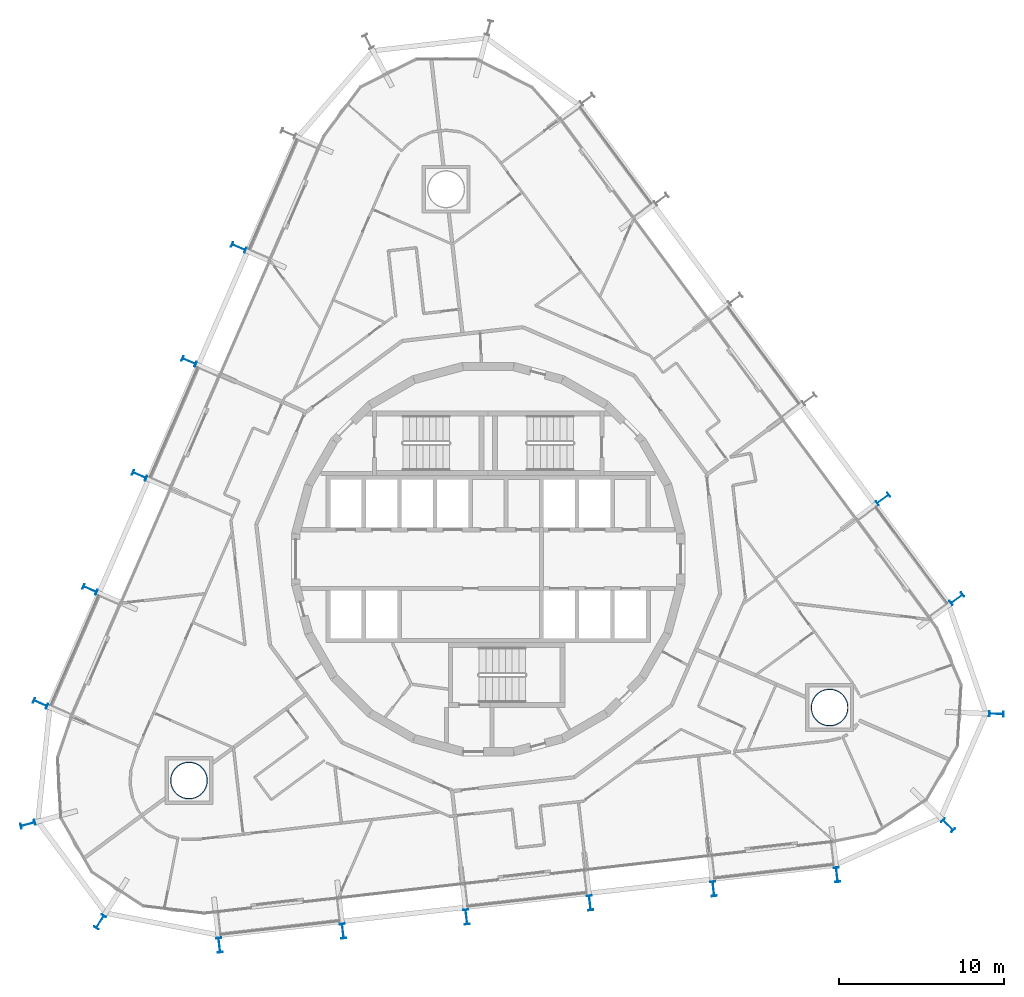
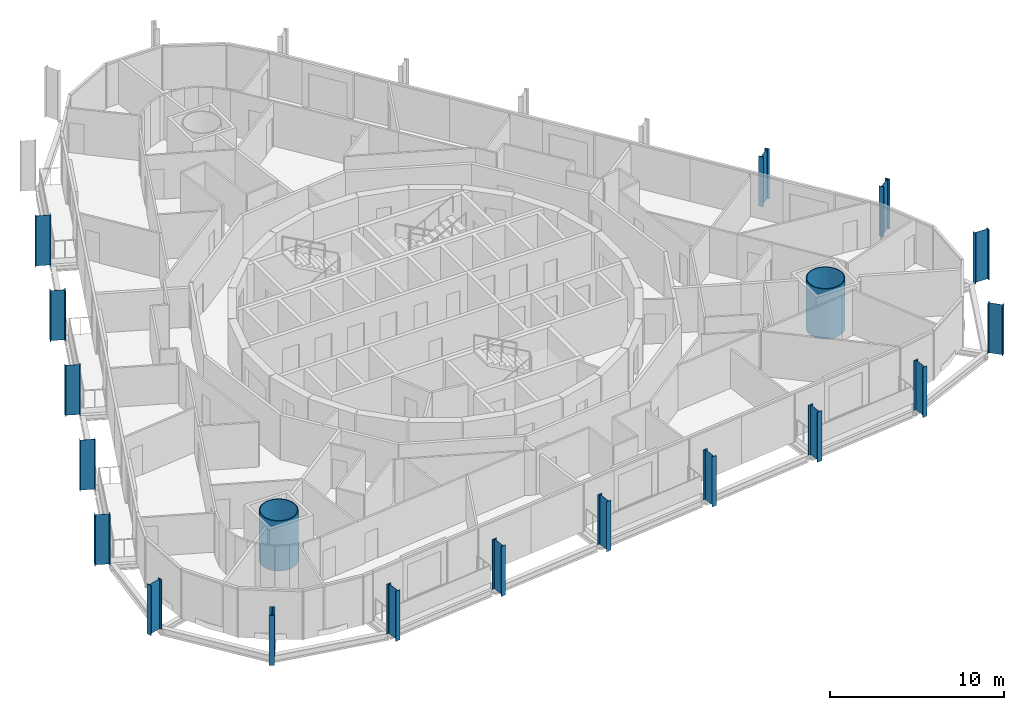
# One storey, part 1 of 24: 19 columns.
"""IFC4 building model written with IfcOpenShell, lengths in metres."""

from ifc_helpers import new_model, si_unit, direction, frame, origin, origin_2d, place, context, subcontext, project, spatial, hollow_circle, i_section, extrude, material, material_profile, profile_set, type_object, element, save


model = new_model("IFC4")

# Units and contexts
model_context = context("Model", 3, precision=1e-05, world=origin(), true_north=direction((0.0, 1.0)))
body_context = subcontext(model_context, "Body", "Model", "MODEL_VIEW")
ifc_project = project(units=[si_unit("LENGTHUNIT", "METRE"), si_unit("AREAUNIT", "SQUARE_METRE"), si_unit("VOLUMEUNIT", "CUBIC_METRE"), si_unit("PLANEANGLEUNIT", "RADIAN"), si_unit("MASSUNIT", "GRAM", prefix="KILO")], contexts=[model_context])

# Site, building, storey
site_placement = place(None, origin())
site = spatial("IfcSite", under=ifc_project, at=site_placement, CompositionType="ELEMENT")
building_placement = place(site_placement, origin())
building = spatial("IfcBuilding", under=site, at=building_placement, Name="Spindle Arch Residences", CompositionType="ELEMENT")
storey_placement = place(building_placement, frame((0.0, 0.0, 94.199951171875)))
storey = spatial("IfcBuildingStorey", under=building, at=storey_placement, Name="L22", CompositionType="ELEMENT", Elevation=94.199951171875)

# Columns
ifc_material_1 = material(Name="Steel S460ML, intumescent coating R 240", Category="steel")
ifc_material_profile_1 = material_profile(ifc_material_1, i_section(OverallWidth=0.300048828125, OverallDepth=0.89990234375, WebThickness=0.0185546875, FlangeThickness=0.034912109375, FilletRadius=0.030029296875, at=origin_2d()), Name="HEB 900")
ifc_profile_set_1 = profile_set([ifc_material_profile_1], Name="Steel S460ML, intumescent coating R 240")
column_type_1 = type_object("IfcColumnType", Name="Exoskeleton post HEB 900", PredefinedType="COLUMN", material=ifc_profile_set_1)
for number, where, z_axis, x_axis, name in (
    (1, (6.153076171875, -20.794677734375, -0.3798828125), (0.0, 0.0, 1.0), (-0.993571881569, -0.113202986513, 0.0), "Exoskeleton post 1"),
    (2, (13.62353515625, -19.943603515625, -0.3798828125), (0.0, 0.0, 1.0), (-0.993571881569, -0.113202986513, 0.0), "Exoskeleton post 2"),
    (3, (21.093994140625, -19.09228515625, -0.3798828125), (0.0, 0.0, 1.0), (-0.993571881569, -0.113202986513, 0.0), "Exoskeleton post 3"),
    (4, (27.81103515625, -16.097900390625, -0.3798828125), (0.0, 0.0, 1.0), (-0.704963041271, -0.709244041527, 0.0), "Exoskeleton post 4"),
    (5, (30.740478515625, -9.36083984375, -0.3798828125), (0.0, 0.0, 1.0), (-0.037923985838, -0.9992806269, 0.0), "Exoskeleton post 5"),
    (6, (28.349365234375, -2.40625, -0.3798828125), (0.0, 0.0, 1.0), (0.594822857897, -0.803856807972, 0.0), "Exoskeleton post 6"),
    (7, (23.876953125, 3.637939453125, -0.3798828125), (0.0, 0.0, 1.0), (0.594822857897, -0.803856807972, 0.0), "Exoskeleton post 7"),
    (8, (-15.0888671875, 18.859130859375, -0.3798828125), (0.0, 0.0, 1.0), (0.398749038162, 0.917060087761, 0.0), "Exoskeleton post 15"),
    (9, (-18.087158203125, 11.9638671875, -0.3798828125), (0.0, 0.0, 1.0), (0.398749038162, 0.917060087761, 0.0), "Exoskeleton post 16"),
    (10, (-21.085205078125, 5.068603515625, -0.3798828125), (0.0, 0.0, 1.0), (0.398749038162, 0.917060087761, 0.0), "Exoskeleton post 17"),
    (11, (-24.083251953125, -1.826416015625, -0.3798828125), (0.0, 0.0, 1.0), (0.398749038162, 0.917060087761, 0.0), "Exoskeleton post 18"),
    (12, (-27.081298828125, -8.7216796875, -0.3798828125), (0.0, 0.0, 1.0), (0.398749038162, 0.917060087761, 0.0), "Exoskeleton post 19"),
    (13, (-27.8466796875, -16.035888671875, -0.3798828125), (0.0, 0.0, 1.0), (-0.261741969429, 0.965137887268, 0.0), "Exoskeleton post 20"),
    (14, (-23.47705078125, -21.94140625, -0.3798828125), (0.0, 0.0, 1.0), (-0.846440049151, 0.532484030928, 0.0), "Exoskeleton post 21"),
    (15, (-16.258544921875, -23.34814453125, -0.3798828125), (0.0, 0.0, 1.0), (-0.993571881569, -0.113202986513, 0.0), "Exoskeleton post 22"),
    (16, (-8.7880859375, -22.4970703125, -0.3798828125), (0.0, 0.0, 1.0), (-0.993571881569, -0.113202986513, 0.0), "Exoskeleton post 23"),
    (17, (-1.3173828125, -21.645751953125, -0.3798828125), (0.0, 0.0, 1.0), (-0.993571881569, -0.113202986513, 0.0), "Exoskeleton post 24"),
):
    element("IfcColumn", number, at=place(storey_placement, frame(where, z_axis=z_axis, x_axis=x_axis)), inside=storey, type_object=column_type_1, Name=name, PredefinedType="COLUMN", context=body_context, shape_type="SweptSolid", body=[
        extrude(i_section(OverallWidth=0.300048828125, OverallDepth=0.89990234375, WebThickness=0.0185546875, FlangeThickness=0.034912109375, FilletRadius=0.030029296875, at=origin_2d()), origin(), (0.0, 0.0, 1.0), 3.5),
    ])
ifc_material_2 = material(Name="Concrete C50/60 filled steel tube S460ML, intumescent coating R 240", Category="concrete")
ifc_material_profile_2 = material_profile(ifc_material_2, hollow_circle(Radius=1.125, WallThickness=0.054931640625, at=origin_2d()), Name="CFT D2250x55")
ifc_profile_set_2 = profile_set([ifc_material_profile_2], Name="Concrete C50/60 filled steel tube S460ML, intumescent coating R 240")
column_type_2 = type_object("IfcColumnType", Name="Mega-column CFT D2250x55", PredefinedType="COLUMN", material=ifc_profile_set_2)
for number, where, z_axis, x_axis, name in (
    (18, (20.647705078125, -8.977783203125, -0.3798828125), (0.0, 0.0, 1.0), (1.0, 0.0, 0.0), "Mega-column 1"),
    (19, (-18.098876953125, -13.392578125, -0.3798828125), (0.0, 0.0, 1.0), (1.0, 0.0, 0.0), "Mega-column 3"),
):
    element("IfcColumn", number, at=place(storey_placement, frame(where, z_axis=z_axis, x_axis=x_axis)), inside=storey, type_object=column_type_2, Name=name, PredefinedType="COLUMN", context=body_context, shape_type="SweptSolid", body=[
        extrude(hollow_circle(Radius=1.125, WallThickness=0.054931640625, at=origin_2d()), origin(), (0.0, 0.0, 1.0), 3.5),
    ])

save(model, "model.ifc")
